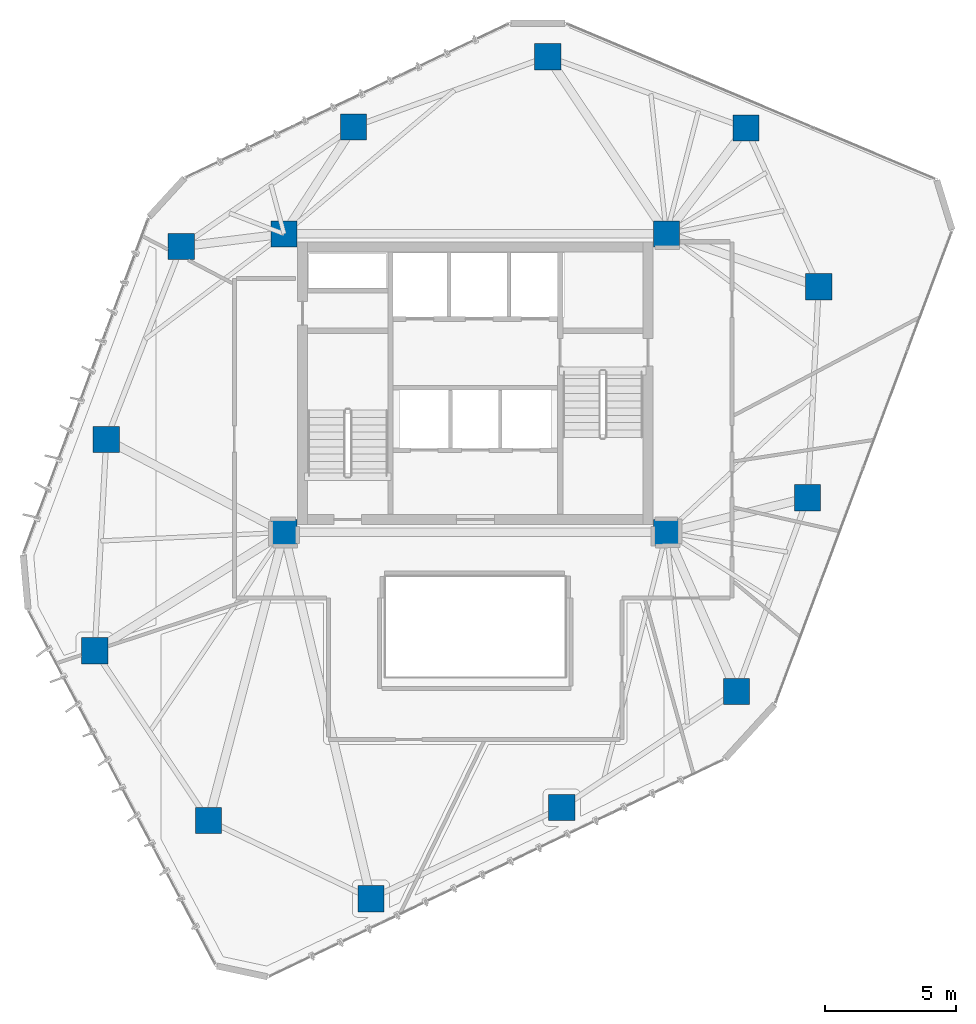
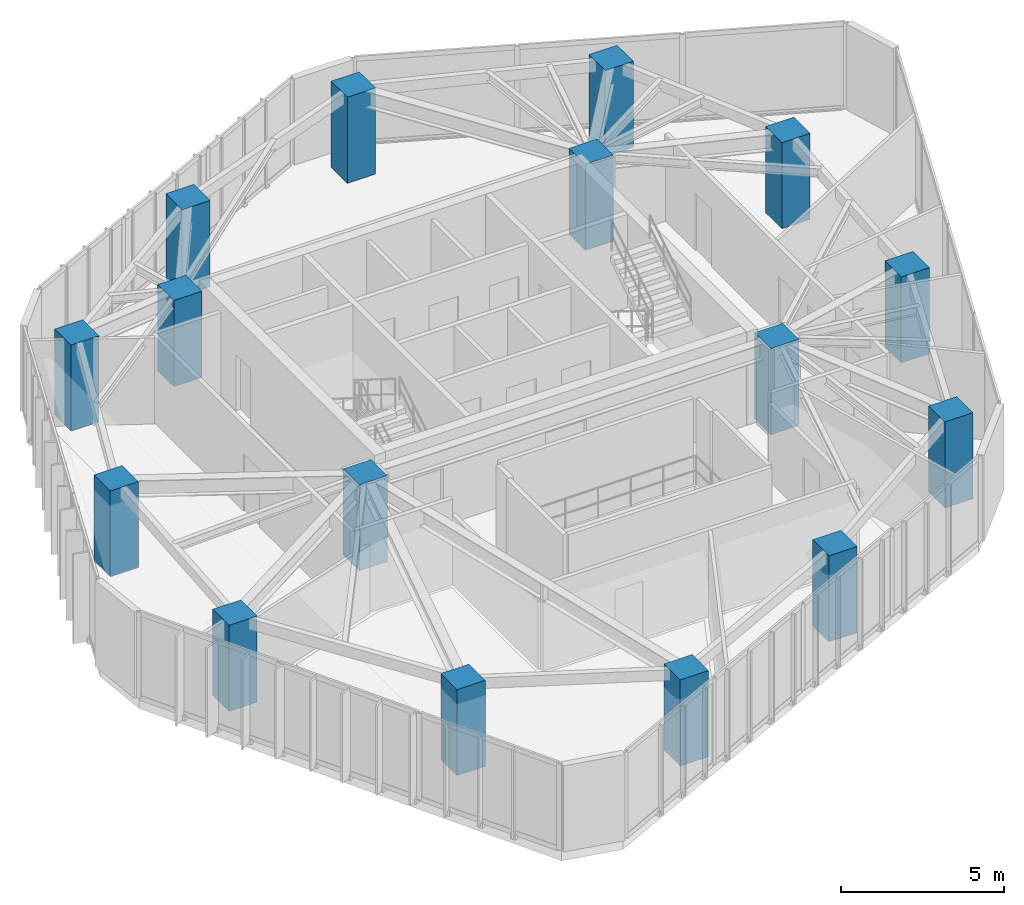
# One storey, part 1 of 18: 16 columns.
"""IFC4 building model written with IfcOpenShell, lengths in metres."""

from ifc_helpers import new_model, si_unit, direction, frame, origin, origin_2d, place, context, subcontext, project, spatial, rectangle, extrude, material, material_profile, profile_set, type_object, element, save


model = new_model("IFC4")

# Units and contexts
model_context = context("Model", 3, precision=1e-05, world=origin(), true_north=direction((0.0, 1.0)))
body_context = subcontext(model_context, "Body", "Model", "MODEL_VIEW")
ifc_project = project(units=[si_unit("LENGTHUNIT", "METRE"), si_unit("AREAUNIT", "SQUARE_METRE"), si_unit("VOLUMEUNIT", "CUBIC_METRE"), si_unit("PLANEANGLEUNIT", "RADIAN"), si_unit("MASSUNIT", "GRAM", prefix="KILO")], contexts=[model_context])

# Site, building, storey
site_placement = place(None, origin())
site = spatial("IfcSite", under=ifc_project, at=site_placement, CompositionType="ELEMENT")
building_placement = place(site_placement, origin())
building = spatial("IfcBuilding", under=site, at=building_placement, Name="Talar Marvaseh", CompositionType="ELEMENT")
storey_placement = place(building_placement, frame((0.0, 0.0, 167.0)))
storey = spatial("IfcBuildingStorey", under=building, at=storey_placement, Name="L43", CompositionType="ELEMENT", Elevation=167.0)

# Columns
ifc_material = material(Name="Concrete C60/75", Category="concrete")
ifc_material_profile = material_profile(ifc_material, rectangle(XDim=1.0, YDim=1.0, at=origin_2d()), Name="RC1000x1000")
ifc_profile_set = profile_set([ifc_material_profile], Name="Concrete C60/75")
column_type = type_object("IfcColumnType", Name="Zone 3 Tube Column RC1000x1000", PredefinedType="COLUMN", material=ifc_profile_set)
for number, where, z_axis, x_axis, name in (
    (1, (28.76611328125, 43.66796875, 0.0), (0.0, 0.0, 1.0), (1.0, 0.0, 0.0), "L43 Zone 3 Tube Column RC1000x1000"),
    (2, (36.341064453125, 40.94189453125, 0.0), (0.0, 0.0, 1.0), (1.0, 0.0, 0.0), "L43 Zone 3 Tube Column RC1000x1000"),
    (3, (39.113037109375, 34.884033203125, 0.0), (0.0, 0.0, 1.0), (1.0, 0.0, 0.0), "L43 Zone 3 Tube Column RC1000x1000"),
    (4, (38.68896484375, 26.823974609375, 0.0), (0.0, 0.0, 1.0), (1.0, 0.0, 0.0), "L43 Zone 3 Tube Column RC1000x1000"),
    (5, (35.970947265625, 19.423095703125, 0.0), (0.0, 0.0, 1.0), (1.0, 0.0, 0.0), "L43 Zone 3 Tube Column RC1000x1000"),
    (6, (29.299072265625, 14.993896484375, 0.0), (0.0, 0.0, 1.0), (1.0, 0.0, 0.0), "L43 Zone 3 Tube Column RC1000x1000"),
    (7, (22.014892578125, 11.51904296875, 0.0), (0.0, 0.0, 1.0), (1.0, 0.0, 0.0), "L43 Zone 3 Tube Column RC1000x1000"),
    (8, (15.819091796875, 14.5009765625, 0.0), (0.0, 0.0, 1.0), (1.0, 0.0, 0.0), "L43 Zone 3 Tube Column RC1000x1000"),
    (9, (11.471923828125, 20.986083984375, 0.0), (0.0, 0.0, 1.0), (1.0, 0.0, 0.0), "L43 Zone 3 Tube Column RC1000x1000"),
    (10, (11.908935546875, 29.044921875, 0.0), (0.0, 0.0, 1.0), (1.0, 0.0, 0.0), "L43 Zone 3 Tube Column RC1000x1000"),
    (11, (14.77294921875, 36.416015625, 0.0), (0.0, 0.0, 1.0), (1.0, 0.0, 0.0), "L43 Zone 3 Tube Column RC1000x1000"),
    (12, (21.35205078125, 40.986083984375, 0.0), (0.0, 0.0, 1.0), (1.0, 0.0, 0.0), "L43 Zone 3 Tube Column RC1000x1000"),
    (13, (18.699951171875, 25.5, 0.0), (0.0, 0.0, 1.0), (1.0, 0.0, 0.0), "L43 Zone 3 Tube Column RC1000x1000"),
    (14, (33.300048828125, 25.5, 0.0), (0.0, 0.0, 1.0), (1.0, 0.0, 0.0), "L43 Zone 3 Tube Column RC1000x1000"),
    (15, (33.300048828125, 36.89990234375, 0.0), (0.0, 0.0, 1.0), (1.0, 0.0, 0.0), "L43 Zone 3 Tube Column RC1000x1000"),
    (16, (18.699951171875, 36.89990234375, 0.0), (0.0, 0.0, 1.0), (1.0, 0.0, 0.0), "L43 Zone 3 Tube Column RC1000x1000"),
):
    element("IfcColumn", number, at=place(storey_placement, frame(where, z_axis=z_axis, x_axis=x_axis)), inside=storey, type_object=column_type, Name=name, PredefinedType="COLUMN", context=body_context, shape_type="SweptSolid", body=[
        extrude(rectangle(XDim=1.0, YDim=1.0, at=origin_2d()), origin(), (0.0, 0.0, 1.0), 3.22998046875),
    ])

save(model, "model.ifc")
